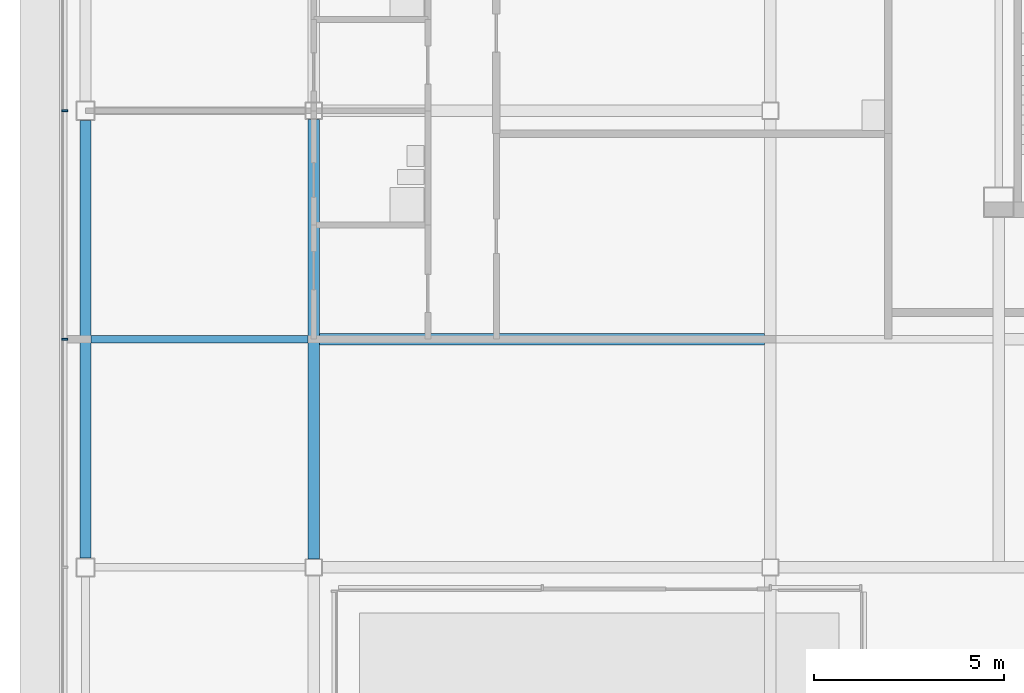
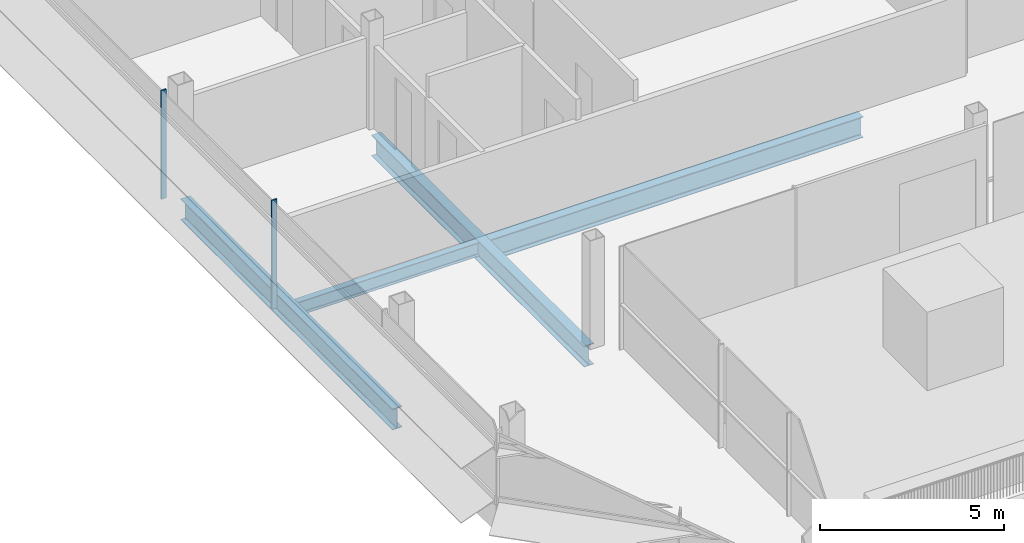
# One storey, part 6 of 31: 4 beams, 2 members, 1 element without a shape of its own.
"""IFC4 building model written with IfcOpenShell, lengths in metres."""

from ifc_helpers import new_model, si_unit, direction, frame, origin, origin_2d, place, context, subcontext, project, spatial, rectangle, i_section, extrude, material, material_profile, profile_set, type_object, element, aggregate, save


model = new_model("IFC4")

# Units and contexts
model_context = context("Model", 3, precision=1e-05, world=origin(), true_north=direction((0.0, 1.0)))
body_context = subcontext(model_context, "Body", "Model", "MODEL_VIEW")
ifc_project = project(units=[si_unit("LENGTHUNIT", "METRE"), si_unit("AREAUNIT", "SQUARE_METRE"), si_unit("VOLUMEUNIT", "CUBIC_METRE"), si_unit("PLANEANGLEUNIT", "RADIAN"), si_unit("MASSUNIT", "GRAM", prefix="KILO")], contexts=[model_context])

# Site, building, storey
site_placement = place(None, origin())
site = spatial("IfcSite", under=ifc_project, at=site_placement, CompositionType="ELEMENT")
building_placement = place(site_placement, origin())
building = spatial("IfcBuilding", under=site, at=building_placement, Name="Sorahane Residences", CompositionType="ELEMENT")
storey_placement = place(building_placement, frame((0.0, 0.0, 319.60009765625)))
storey = spatial("IfcBuildingStorey", under=building, at=storey_placement, Name="L76", CompositionType="ELEMENT", Elevation=319.60009765625)

# Curtain wall, members
ifc_material_1 = material(Name="Dark low-e glass and black anodised aluminium", Category="aluminium")
curtain_wall_type = type_object("IfcCurtainWallType", Name="Curtain wall CW-1 Typical unitised wall", PredefinedType="NOTDEFINED", material=ifc_material_1)
curtain_wall_placement = place(storey_placement, origin())
curtain_wall = element("IfcCurtainWall", 1, at=curtain_wall_placement, inside=storey, type_object=curtain_wall_type, Name="CW-1 curtain wall L76 W2", PredefinedType="NOTDEFINED")
ifc_material_2 = material(Name="Black anodised aluminium", Category="aluminium")
ifc_material_profile_1 = material_profile(ifc_material_2, rectangle(XDim=0.159912109375, YDim=0.050048828125, at=origin_2d()), Name="Curtain wall mullion CW-1 black anodised aluminium 50x160")
ifc_profile_set_1 = profile_set([ifc_material_profile_1], Name="Black anodised aluminium")
member_type = type_object("IfcMemberType", Name="Curtain wall mullion CW-1 black anodised aluminium 50x160", PredefinedType="MULLION", material=ifc_profile_set_1)
member_1_placement = place(storey_placement, frame((-18.5400390625, 24.0, -0.18017578125), z_axis=(0.0, 0.0, 1.0), x_axis=(-1.0, 0.0, 0.0)))
member_1 = element("IfcMember", 2, at=member_1_placement, type_object=member_type, Name="CW-1 mullion L76 W2.4", PredefinedType="MULLION", context=body_context, shape_type="SweptSolid", body=[
    extrude(rectangle(XDim=0.159912109375, YDim=0.050048828125, at=origin_2d()), origin(), (0.0, 0.0, 1.0), 3.60009765625),
])
member_2_placement = place(storey_placement, frame((-18.5400390625, 18.0, -0.18017578125), z_axis=(0.0, 0.0, 1.0), x_axis=(-1.0, 0.0, 0.0)))
member_2 = element("IfcMember", 3, at=member_2_placement, type_object=member_type, Name="CW-1 mullion L76 W2.5", PredefinedType="MULLION", context=body_context, shape_type="SweptSolid", body=[
    extrude(rectangle(XDim=0.159912109375, YDim=0.050048828125, at=origin_2d()), origin(), (0.0, 0.0, 1.0), 3.60009765625),
])
aggregate(curtain_wall, [member_1, member_2])

# Beams
ifc_material_3 = material(Name="Steel Q355B", Category="steel")
ifc_material_profile_2 = material_profile(ifc_material_3, i_section(OverallWidth=0.199951171875, OverallDepth=0.449951171875, WebThickness=0.009033203125, FlangeThickness=0.013916015625, FilletRadius=0.02001953125, at=origin_2d()), Name="HN 450x200x9x14")
ifc_profile_set_2 = profile_set([ifc_material_profile_2], Name="Steel Q355B")
beam_type_1 = type_object("IfcBeamType", Name="Steel floor beam HN 450x200x9x14 Q355B", PredefinedType="BEAM", material=ifc_profile_set_2)
beam_1_placement = place(storey_placement, frame((-17.85009765625, 18.0, -0.405029296875), z_axis=(1.0, 0.0, 0.0), x_axis=(0.0, 1.0, 0.0)))
element("IfcBeam", 4, at=beam_1_placement, inside=storey, type_object=beam_type_1, Name="Beam L76 074", PredefinedType="BEAM", context=body_context, shape_type="SweptSolid", body=[
    extrude(i_section(OverallWidth=0.199951171875, OverallDepth=0.449951171875, WebThickness=0.009033203125, FlangeThickness=0.013916015625, FilletRadius=0.02001953125, at=origin_2d()), origin(), (0.0, 0.0, 1.0), 5.7001953125),
])
ifc_material_4 = material(Name="Steel Q355B", Category="steel")
ifc_material_profile_3 = material_profile(ifc_material_4, i_section(OverallWidth=0.300048828125, OverallDepth=0.699951171875, WebThickness=0.012939453125, FlangeThickness=0.02392578125, FilletRadius=0.028076171875, at=origin_2d()), Name="HN 700x300x13x24")
ifc_profile_set_3 = profile_set([ifc_material_profile_3], Name="Steel Q355B")
beam_type_2 = type_object("IfcBeamType", Name="Steel floor beam HN 700x300x13x24 Q355B", PredefinedType="BEAM", material=ifc_profile_set_3)
beam_2_placement = place(storey_placement, frame((-18.0, 12.25, -0.530029296875), z_axis=(0.0, 1.0, 0.0), x_axis=(-1.0, 0.0, 0.0)))
element("IfcBeam", 5, at=beam_2_placement, inside=storey, type_object=beam_type_2, Name="Beam L76 021", PredefinedType="BEAM", context=body_context, shape_type="SweptSolid", body=[
    extrude(i_section(OverallWidth=0.300048828125, OverallDepth=0.699951171875, WebThickness=0.012939453125, FlangeThickness=0.02392578125, FilletRadius=0.028076171875, at=origin_2d()), origin(), (0.0, 0.0, 1.0), 11.5),
])
beam_3_placement = place(storey_placement, frame((-12.0, 12.22509765625, -0.530029296875), z_axis=(0.0, 1.0, 0.0), x_axis=(-1.0, 0.0, 0.0)))
element("IfcBeam", 6, at=beam_3_placement, inside=storey, type_object=beam_type_2, Name="Beam L76 025", PredefinedType="BEAM", context=body_context, shape_type="SweptSolid", body=[
    extrude(i_section(OverallWidth=0.300048828125, OverallDepth=0.699951171875, WebThickness=0.012939453125, FlangeThickness=0.02392578125, FilletRadius=0.028076171875, at=origin_2d()), origin(), (0.0, 0.0, 1.0), 11.5498046875),
])
beam_4_placement = place(storey_placement, frame((-11.85009765625, 18.0, -0.530029296875), z_axis=(1.0, 0.0, 0.0), x_axis=(0.0, 1.0, 0.0)))
element("IfcBeam", 7, at=beam_4_placement, inside=storey, type_object=beam_type_2, Name="Beam L76 075", PredefinedType="BEAM", context=body_context, shape_type="SweptSolid", body=[
    extrude(i_section(OverallWidth=0.300048828125, OverallDepth=0.699951171875, WebThickness=0.012939453125, FlangeThickness=0.02392578125, FilletRadius=0.028076171875, at=origin_2d()), origin(), (0.0, 0.0, 1.0), 11.7001953125),
])

save(model, "model.ifc")
